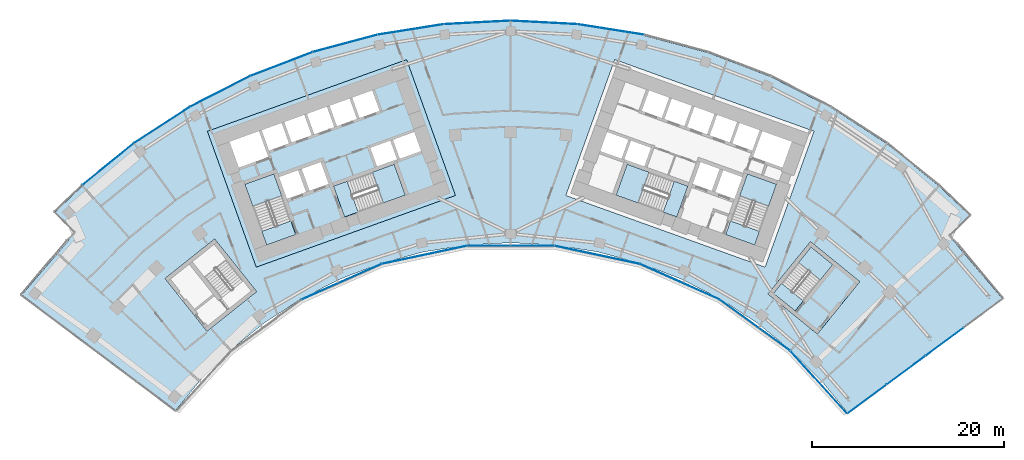
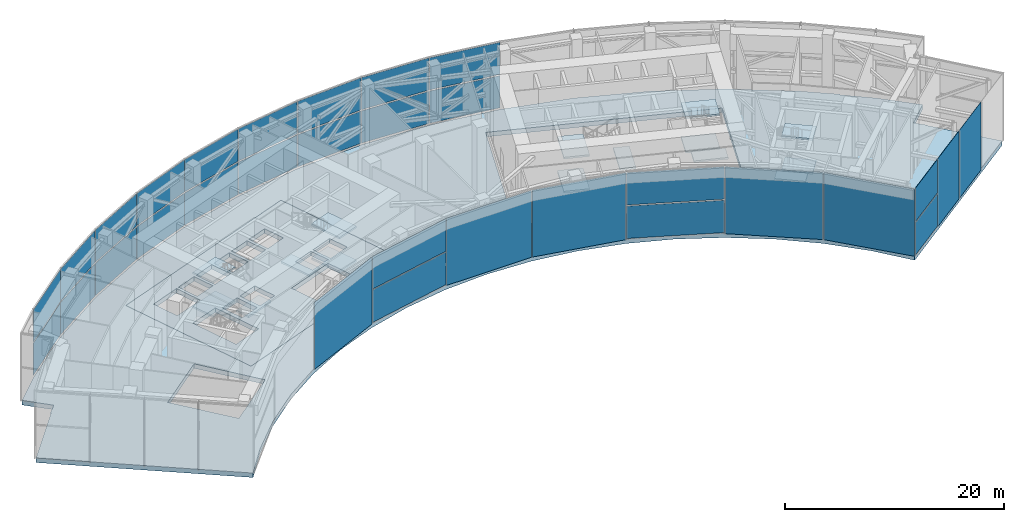
# One storey, part 17 of 32: 31 plates, 18 slabs, 8 elements without a shape of their own.
"""IFC4 building model written with IfcOpenShell, lengths in metres."""

import ifcopenshell
import ifcopenshell.guid

model = None  # the IFC model being written
_history = None  # IfcOwnerHistory: only IFC2X3 demands one
_inside = {}  # id of a spatial element -> (the spatial element, [elements in it])
_under = {}  # id of a project, library or spatial element -> (it, [spatial elements below it])
_declared = {}  # id of a project -> (the project, [libraries it declares])
_typed = {}  # id of a type object -> (the type object, [elements of that type])
_made_of = {}  # id of a material, layer set ... -> (it, [elements and type objects made of it])


def new_model(schema):
    """Start an empty IFC model of exactly this schema.

    Asked for "IFC4X3", IfcOpenShell would pick the latest addendum, in which some entities
    have other attributes; the version numbers below select the first issue.
    IFC2X3 requires an IfcOwnerHistory on every rooted entity: one is made here for all.
    """
    global model, _history
    if schema == "IFC4X3":
        model = ifcopenshell.file(schema_version=(4, 3, 0, 0))
    else:
        model = ifcopenshell.file(schema=schema)
    _inside.clear()
    _under.clear()
    _declared.clear()
    _typed.clear()
    _made_of.clear()
    _history = None
    if model.schema == "IFC2X3":
        org = make("IfcOrganization", Name="unknown")
        user = make(
            "IfcPersonAndOrganization",
            ThePerson=make("IfcPerson", FamilyName="unknown"),
            TheOrganization=org,
        )
        app = make(
            "IfcApplication",
            ApplicationDeveloper=org,
            Version="unknown",
            ApplicationFullName="unknown",
            ApplicationIdentifier="unknown",
        )
        _history = make(
            "IfcOwnerHistory",
            OwningUser=user,
            OwningApplication=app,
            ChangeAction="ADDED",
            CreationDate=0,
        )
    return model


def make(cls, **values):
    """One entity of the class cls with the attributes given. An attribute that is None is left unset."""
    return model.create_entity(
        cls, **{name: value for name, value in values.items() if value is not None}
    )


def rooted(cls, **values):
    """An entity with a GlobalId (a new one), such as an element, a storey or a relation."""
    return make(cls, GlobalId=ifcopenshell.guid.new(), OwnerHistory=_history, **values)


def si_unit(unit_type, name, prefix=None):
    """IfcSIUnit, for example si_unit("LENGTHUNIT", "METRE", prefix="MILLI")."""
    return make("IfcSIUnit", UnitType=unit_type, Prefix=prefix, Name=name)


def assignment(units):
    """IfcUnitAssignment: the units of a project."""
    return None if units is None else make("IfcUnitAssignment", Units=units)


def point(xyz):
    """IfcCartesianPoint."""
    return None if xyz is None else make("IfcCartesianPoint", Coordinates=xyz)


def direction(xyz):
    """IfcDirection."""
    return None if xyz is None else make("IfcDirection", DirectionRatios=xyz)


def frame(location, z_axis=None, x_axis=None):
    """IfcAxis2Placement3D, a coordinate frame: its origin and axes. An axis left out is left unset."""
    return make(
        "IfcAxis2Placement3D",
        Location=point(location),
        Axis=direction(z_axis),
        RefDirection=direction(x_axis),
    )


def frame_2d(location, x_axis=None):
    """IfcAxis2Placement2D, a coordinate frame in the plane: its origin and x axis."""
    return make(
        "IfcAxis2Placement2D", Location=point(location), RefDirection=direction(x_axis)
    )


def origin():
    """The frame at (0, 0, 0) with its axes left unset."""
    return frame((0.0, 0.0, 0.0))


def origin_2d():
    """The frame at (0, 0) in the plane with its x axis left unset."""
    return frame_2d((0.0, 0.0))


def place(relative_to, where):
    """IfcLocalPlacement: puts the frame where relative to a parent placement (None: the world)."""
    return make(
        "IfcLocalPlacement", PlacementRelTo=relative_to, RelativePlacement=where
    )


def context(
    kind, dimensions, precision=None, world=None, true_north=None, identifier=None
):
    """IfcGeometricRepresentationContext, for example the 3D "Model" context."""
    return make(
        "IfcGeometricRepresentationContext",
        ContextIdentifier=identifier,
        ContextType=kind,
        CoordinateSpaceDimension=dimensions,
        Precision=precision,
        WorldCoordinateSystem=world,
        TrueNorth=true_north,
    )


def subcontext(parent, identifier, kind, view, scale=None):
    """IfcGeometricRepresentationSubContext, for example "Body" below "Model"."""
    return make(
        "IfcGeometricRepresentationSubContext",
        ContextIdentifier=identifier,
        ContextType=kind,
        ParentContext=parent,
        TargetScale=scale,
        TargetView=view,
    )


def project(units=None, contexts=None):
    """IfcProject with its units and contexts."""
    return rooted(
        "IfcProject",
        Name="project",
        RepresentationContexts=contexts,
        UnitsInContext=assignment(units),
    )


def spatial(cls, under=None, at=None, **own):
    """A site, building, storey or space (cls), placed at a placement, below another one or the project."""
    s = rooted(cls, ObjectPlacement=at, **own)
    if under is not None:
        _under.setdefault(under.id(), (under, []))[1].append(s)
    return s


def polyline(points):
    """IfcPolyline through the points."""
    return make("IfcPolyline", Points=[point(p) for p in points])


def profile(cls, at=None, kind="AREA", **sizes):
    """A parametric profile (cls). Its sizes go by their IFC names, for example OverallWidth=200.0."""
    return make(cls, ProfileType=kind, Position=at, **sizes)


def rectangle(**sizes):
    """IfcRectangleProfileDef."""
    return profile("IfcRectangleProfileDef", **sizes)


def outline(outer, holes=None, kind="AREA"):
    """IfcArbitraryClosedProfileDef: a profile drawn as a closed curve; with holes, ...WithVoids."""
    if holes is None:
        return make("IfcArbitraryClosedProfileDef", ProfileType=kind, OuterCurve=outer)
    return make(
        "IfcArbitraryProfileDefWithVoids",
        ProfileType=kind,
        OuterCurve=outer,
        InnerCurves=holes,
    )


def extrude(swept, where, along, depth):
    """IfcExtrudedAreaSolid: the profile swept, set in the frame where, extruded along a direction by depth."""
    return make(
        "IfcExtrudedAreaSolid",
        SweptArea=swept,
        Position=where,
        ExtrudedDirection=direction(along),
        Depth=depth,
    )


def shape(context_of_items, identifier, shape_type, items):
    """IfcShapeRepresentation: the items that make up one representation, for example the "Body"."""
    return make(
        "IfcShapeRepresentation",
        ContextOfItems=context_of_items,
        RepresentationIdentifier=identifier,
        RepresentationType=shape_type,
        Items=items,
    )


def material(Name=None, Category=None):
    """IfcMaterial."""
    return make("IfcMaterial", Name=Name, Category=Category)


def layer(
    of_material, thickness, ventilated=None, Name=None, Category=None, Priority=None
):
    """IfcMaterialLayer: one layer of a wall or slab, of a material (None: an air gap)."""
    return make(
        "IfcMaterialLayer",
        Material=of_material,
        LayerThickness=thickness,
        IsVentilated=ventilated,
        Name=Name,
        Category=Category,
        Priority=Priority,
    )


def layer_set(layers, Name=None):
    """IfcMaterialLayerSet."""
    return make("IfcMaterialLayerSet", MaterialLayers=layers, LayerSetName=Name)


def made_of(thing, what):
    """Note that an element or type object is made of a material, layer set ...; save() writes the relation."""
    if what is not None:
        _made_of.setdefault(what.id(), (what, []))[1].append(thing)
    return thing


def type_object(cls, material=None, **own):
    """A type object (cls), such as IfcWallType, which elements share."""
    return made_of(rooted(cls, **own), material)


def element(
    cls,
    number,
    at=None,
    inside=None,
    cuts=None,
    type_object=None,
    material=None,
    context=None,
    identifier="Body",
    shape_type=None,
    held_by="IfcProductDefinitionShape",
    body=None,
    shapes=None,
    **own,
):
    """One element of the class cls, such as IfcWall. Its Tag is "e" and its number.

    at: its placement. inside: the storey or other place that contains it. cuts: it is an
    opening in that element (IfcRelVoidsElement). A single representation is given by context,
    identifier, shape_type and body (its items); several are given by shapes. held_by: the class
    of the entity that holds the representations. save() writes the other relations.
    """
    e = rooted(cls, Tag="e%d" % number, ObjectPlacement=at, **own)
    if body is not None:
        shapes = [shape(context, identifier, shape_type, body)]
    if shapes is not None:
        e.Representation = make(held_by, Representations=shapes)
    if inside is not None:
        _inside.setdefault(inside.id(), (inside, []))[1].append(e)
    if cuts is not None:
        rooted(
            "IfcRelVoidsElement", RelatingBuildingElement=cuts, RelatedOpeningElement=e
        )
    if type_object is not None:
        _typed.setdefault(type_object.id(), (type_object, []))[1].append(e)
    return made_of(e, material)


def aggregate(whole, parts):
    """IfcRelAggregates: a whole, such as a stair, and the parts it consists of."""
    return rooted("IfcRelAggregates", RelatingObject=whole, RelatedObjects=parts)


def save(model, path):
    """Write the relations noted so far, then the file.

    IfcRelAggregates (storeys below a building ...), IfcRelContainedInSpatialStructure (elements
    in a storey), IfcRelDefinesByType, IfcRelAssociatesMaterial and IfcRelDeclares: one each for
    every whole, place, type object, material and project.
    """
    for whole, parts in _under.values():
        aggregate(whole, parts)
    for where, things in _inside.values():
        rooted(
            "IfcRelContainedInSpatialStructure",
            RelatedElements=things,
            RelatingStructure=where,
        )
    for kind, things in _typed.values():
        rooted("IfcRelDefinesByType", RelatedObjects=things, RelatingType=kind)
    for what, things in _made_of.values():
        rooted("IfcRelAssociatesMaterial", RelatedObjects=things, RelatingMaterial=what)
    for by, libraries in _declared.values():
        rooted("IfcRelDeclares", RelatingContext=by, RelatedDefinitions=libraries)
    model.write(path)


model = new_model("IFC4")

# Units and contexts
model_context = context("Model", 3, precision=1e-05, world=origin(), true_north=direction((0.0, 1.0)))
body_context = subcontext(model_context, "Body", "Model", "MODEL_VIEW")
ifc_project = project(units=[si_unit("LENGTHUNIT", "METRE"), si_unit("AREAUNIT", "SQUARE_METRE"), si_unit("VOLUMEUNIT", "CUBIC_METRE"), si_unit("PLANEANGLEUNIT", "RADIAN"), si_unit("MASSUNIT", "GRAM", prefix="KILO")], contexts=[model_context])

# Site, building, storey
site_placement = place(None, origin())
site = spatial("IfcSite", under=ifc_project, at=site_placement, CompositionType="ELEMENT")
building_placement = place(site_placement, origin())
building = spatial("IfcBuilding", under=site, at=building_placement, Name="Stone Belt Terrace Tower", CompositionType="ELEMENT")
storey_placement = place(building_placement, frame((0.0, 0.0, 193.39990234375)))
storey = spatial("IfcBuildingStorey", under=building, at=storey_placement, Name="L47", CompositionType="ELEMENT", Elevation=193.39990234375)

# Curtain wall, plates
ifc_material_1 = material(Name="Aluminium 6063-T6 anodised frame", Category="aluminium")
ifc_layer_1 = layer(ifc_material_1, 0.14990234375)
ifc_layer_set_1 = layer_set([ifc_layer_1], Name="CW-A unitised convex-face curtain wall")
curtain_wall_type_1 = type_object("IfcCurtainWallType", Name="CW-A unitised convex-face curtain wall", PredefinedType="NOTDEFINED", material=ifc_layer_set_1)
curtain_wall_1_placement = place(storey_placement, origin())
curtain_wall_1 = element("IfcCurtainWall", 1, at=curtain_wall_1_placement, inside=storey, type_object=curtain_wall_type_1, Name="CW-A convex face L47", PredefinedType="NOTDEFINED")
ifc_material_2 = material(Name="Terracotta coloured glazed ceramic", Category="masonry")
ifc_layer_2 = layer(ifc_material_2, 0.031982421875)
ifc_layer_set_2 = layer_set([ifc_layer_2], Name="CW-A ceramic louvre panel 32")
plate_type_1 = type_object("IfcPlateType", Name="CW-A ceramic louvre panel 32", PredefinedType="CURTAIN_PANEL", material=ifc_layer_set_2)
plate_1_placement = place(storey_placement, frame((10.400390625, 65.665283203125, 0.14013671875), z_axis=(0.0, 0.0, 1.0), x_axis=(-0.987688340595, 0.15643446504, 0.0)))
plate_1 = element("IfcPlate", 2, at=plate_1_placement, type_object=plate_type_1, Name="CW-A louvre panel 7.1", PredefinedType="CURTAIN_PANEL", context=body_context, shape_type="SweptSolid", body=[
    extrude(rectangle(XDim=6.90087890625, YDim=0.031982421875, at=origin_2d()), origin(), (0.0, 0.0, 1.0), 3.590087890625),
])
plate_2_placement = place(storey_placement, frame((10.400390625, 65.665283203125, 3.8701171875), z_axis=(0.0, 0.0, 1.0), x_axis=(-0.987688340595, 0.15643446504, 0.0)))
plate_2 = element("IfcPlate", 3, at=plate_2_placement, type_object=plate_type_1, Name="CW-A louvre panel 7.2", PredefinedType="CURTAIN_PANEL", context=body_context, shape_type="SweptSolid", body=[
    extrude(rectangle(XDim=6.90087890625, YDim=0.031982421875, at=origin_2d()), origin(), (0.0, 0.0, 1.0), 3.590087890625),
])
plate_3_placement = place(storey_placement, frame((3.4794921875, 66.392822265625, 0.14013671875), z_axis=(0.0, 0.0, 1.0), x_axis=(-0.998629534755, 0.052335956243, 0.0)))
plate_3 = element("IfcPlate", 4, at=plate_3_placement, type_object=plate_type_1, Name="CW-A louvre panel 8.1", PredefinedType="CURTAIN_PANEL", context=body_context, shape_type="SweptSolid", body=[
    extrude(rectangle(XDim=6.90087890625, YDim=0.031982421875, at=origin_2d()), origin(), (0.0, 0.0, 1.0), 3.590087890625),
])
plate_4_placement = place(storey_placement, frame((3.4794921875, 66.392822265625, 3.8701171875), z_axis=(0.0, 0.0, 1.0), x_axis=(-0.998629534755, 0.052335956243, 0.0)))
plate_4 = element("IfcPlate", 5, at=plate_4_placement, type_object=plate_type_1, Name="CW-A louvre panel 8.2", PredefinedType="CURTAIN_PANEL", context=body_context, shape_type="SweptSolid", body=[
    extrude(rectangle(XDim=6.90087890625, YDim=0.031982421875, at=origin_2d()), origin(), (0.0, 0.0, 1.0), 3.590087890625),
])
plate_5_placement = place(storey_placement, frame((-3.4794921875, 66.392822265625, 0.14013671875), z_axis=(0.0, 0.0, 1.0), x_axis=(-0.998629534755, -0.052335956243, 0.0)))
plate_5 = element("IfcPlate", 6, at=plate_5_placement, type_object=plate_type_1, Name="CW-A louvre panel 9.1", PredefinedType="CURTAIN_PANEL", context=body_context, shape_type="SweptSolid", body=[
    extrude(rectangle(XDim=6.90087890625, YDim=0.031982421875, at=origin_2d()), origin(), (0.0, 0.0, 1.0), 3.590087890625),
])
plate_6_placement = place(storey_placement, frame((-3.4794921875, 66.392822265625, 3.8701171875), z_axis=(0.0, 0.0, 1.0), x_axis=(-0.998629534755, -0.052335956243, 0.0)))
plate_6 = element("IfcPlate", 7, at=plate_6_placement, type_object=plate_type_1, Name="CW-A louvre panel 9.2", PredefinedType="CURTAIN_PANEL", context=body_context, shape_type="SweptSolid", body=[
    extrude(rectangle(XDim=6.90087890625, YDim=0.031982421875, at=origin_2d()), origin(), (0.0, 0.0, 1.0), 3.590087890625),
])
plate_7_placement = place(storey_placement, frame((-10.400390625, 65.665283203125, 0.14013671875), z_axis=(0.0, 0.0, 1.0), x_axis=(-0.987688340595, -0.15643446504, 0.0)))
plate_7 = element("IfcPlate", 8, at=plate_7_placement, type_object=plate_type_1, Name="CW-A louvre panel 10.1", PredefinedType="CURTAIN_PANEL", context=body_context, shape_type="SweptSolid", body=[
    extrude(rectangle(XDim=6.90087890625, YDim=0.031982421875, at=origin_2d()), origin(), (0.0, 0.0, 1.0), 3.590087890625),
])
plate_8_placement = place(storey_placement, frame((-10.400390625, 65.665283203125, 3.8701171875), z_axis=(0.0, 0.0, 1.0), x_axis=(-0.987688340595, -0.15643446504, 0.0)))
plate_8 = element("IfcPlate", 9, at=plate_8_placement, type_object=plate_type_1, Name="CW-A louvre panel 10.2", PredefinedType="CURTAIN_PANEL", context=body_context, shape_type="SweptSolid", body=[
    extrude(rectangle(XDim=6.90087890625, YDim=0.031982421875, at=origin_2d()), origin(), (0.0, 0.0, 1.0), 3.590087890625),
])
plate_9_placement = place(storey_placement, frame((-17.207275390625, 64.218505859375, 0.14013671875), z_axis=(0.0, 0.0, 1.0), x_axis=(-0.965925826289, -0.258819045103, 0.0)))
plate_9 = element("IfcPlate", 10, at=plate_9_placement, type_object=plate_type_1, Name="CW-A louvre panel 11.1", PredefinedType="CURTAIN_PANEL", context=body_context, shape_type="SweptSolid", body=[
    extrude(rectangle(XDim=6.90087890625, YDim=0.031982421875, at=origin_2d()), origin(), (0.0, 0.0, 1.0), 3.590087890625),
])
plate_10_placement = place(storey_placement, frame((-17.207275390625, 64.218505859375, 3.8701171875), z_axis=(0.0, 0.0, 1.0), x_axis=(-0.965925826289, -0.258819045103, 0.0)))
plate_10 = element("IfcPlate", 11, at=plate_10_placement, type_object=plate_type_1, Name="CW-A louvre panel 11.2", PredefinedType="CURTAIN_PANEL", context=body_context, shape_type="SweptSolid", body=[
    extrude(rectangle(XDim=6.90087890625, YDim=0.031982421875, at=origin_2d()), origin(), (0.0, 0.0, 1.0), 3.590087890625),
])
plate_11_placement = place(storey_placement, frame((-23.82568359375, 62.068115234375, 0.14013671875), z_axis=(0.0, 0.0, 1.0), x_axis=(-0.933580426497, -0.358367949545, 0.0)))
plate_11 = element("IfcPlate", 12, at=plate_11_placement, type_object=plate_type_1, Name="CW-A louvre panel 12.1", PredefinedType="CURTAIN_PANEL", context=body_context, shape_type="SweptSolid", body=[
    extrude(rectangle(XDim=6.90087890625, YDim=0.031982421875, at=origin_2d()), origin(), (0.0, 0.0, 1.0), 3.590087890625),
])
plate_12_placement = place(storey_placement, frame((-23.82568359375, 62.068115234375, 3.8701171875), z_axis=(0.0, 0.0, 1.0), x_axis=(-0.933580426497, -0.358367949545, 0.0)))
plate_12 = element("IfcPlate", 13, at=plate_12_placement, type_object=plate_type_1, Name="CW-A louvre panel 12.2", PredefinedType="CURTAIN_PANEL", context=body_context, shape_type="SweptSolid", body=[
    extrude(rectangle(XDim=6.90087890625, YDim=0.031982421875, at=origin_2d()), origin(), (0.0, 0.0, 1.0), 3.590087890625),
])
plate_13_placement = place(storey_placement, frame((-30.18310546875, 59.237548828125, 0.14013671875), z_axis=(0.0, 0.0, 1.0), x_axis=(-0.891006524188, -0.45399049974, 0.0)))
plate_13 = element("IfcPlate", 14, at=plate_13_placement, type_object=plate_type_1, Name="CW-A louvre panel 13.1", PredefinedType="CURTAIN_PANEL", context=body_context, shape_type="SweptSolid", body=[
    extrude(rectangle(XDim=6.90087890625, YDim=0.031982421875, at=origin_2d()), origin(), (0.0, 0.0, 1.0), 3.590087890625),
])
plate_14_placement = place(storey_placement, frame((-30.18310546875, 59.237548828125, 3.8701171875), z_axis=(0.0, 0.0, 1.0), x_axis=(-0.891006524188, -0.45399049974, 0.0)))
plate_14 = element("IfcPlate", 15, at=plate_14_placement, type_object=plate_type_1, Name="CW-A louvre panel 13.2", PredefinedType="CURTAIN_PANEL", context=body_context, shape_type="SweptSolid", body=[
    extrude(rectangle(XDim=6.90087890625, YDim=0.031982421875, at=origin_2d()), origin(), (0.0, 0.0, 1.0), 3.590087890625),
])
plate_15_placement = place(storey_placement, frame((-36.209716796875, 55.758056640625, 0.14013671875), z_axis=(0.0, 0.0, 1.0), x_axis=(-0.838670567945, -0.544639035015, 0.0)))
plate_15 = element("IfcPlate", 16, at=plate_15_placement, type_object=plate_type_1, Name="CW-A louvre panel 14.1", PredefinedType="CURTAIN_PANEL", context=body_context, shape_type="SweptSolid", body=[
    extrude(rectangle(XDim=6.90087890625, YDim=0.031982421875, at=origin_2d()), origin(), (0.0, 0.0, 1.0), 3.590087890625),
])
plate_16_placement = place(storey_placement, frame((-36.209716796875, 55.758056640625, 3.8701171875), z_axis=(0.0, 0.0, 1.0), x_axis=(-0.838670567945, -0.544639035015, 0.0)))
plate_16 = element("IfcPlate", 17, at=plate_16_placement, type_object=plate_type_1, Name="CW-A louvre panel 14.2", PredefinedType="CURTAIN_PANEL", context=body_context, shape_type="SweptSolid", body=[
    extrude(rectangle(XDim=6.90087890625, YDim=0.031982421875, at=origin_2d()), origin(), (0.0, 0.0, 1.0), 3.590087890625),
])
plate_17_placement = place(storey_placement, frame((-41.839599609375, 51.667724609375, 0.14013671875), z_axis=(0.0, 0.0, 1.0), x_axis=(-0.777145961457, -0.62932039105, 0.0)))
plate_17 = element("IfcPlate", 18, at=plate_17_placement, type_object=plate_type_1, Name="CW-A louvre panel 15.1", PredefinedType="CURTAIN_PANEL", context=body_context, shape_type="SweptSolid", body=[
    extrude(rectangle(XDim=6.900634765625, YDim=0.031982421875, at=origin_2d()), origin(), (0.0, 0.0, 1.0), 3.590087890625),
])
plate_18_placement = place(storey_placement, frame((-41.839599609375, 51.667724609375, 3.8701171875), z_axis=(0.0, 0.0, 1.0), x_axis=(-0.777145961457, -0.62932039105, 0.0)))
plate_18 = element("IfcPlate", 19, at=plate_18_placement, type_object=plate_type_1, Name="CW-A louvre panel 15.2", PredefinedType="CURTAIN_PANEL", context=body_context, shape_type="SweptSolid", body=[
    extrude(rectangle(XDim=6.900634765625, YDim=0.031982421875, at=origin_2d()), origin(), (0.0, 0.0, 1.0), 3.590087890625),
])
aggregate(curtain_wall_1, [plate_1, plate_2, plate_3, plate_4, plate_5, plate_6, plate_7, plate_8, plate_9, plate_10, plate_11, plate_12, plate_13, plate_14, plate_15, plate_16, plate_17, plate_18])

ifc_layer_3 = layer(ifc_material_1, 0.14990234375)
ifc_layer_set_3 = layer_set([ifc_layer_3], Name="CW-B unitised concave-face curtain wall")
curtain_wall_type_2 = type_object("IfcCurtainWallType", Name="CW-B unitised concave-face curtain wall", PredefinedType="NOTDEFINED", material=ifc_layer_set_3)
curtain_wall_2_placement = place(storey_placement, origin())
curtain_wall_2 = element("IfcCurtainWall", 20, at=curtain_wall_2_placement, inside=storey, type_object=curtain_wall_type_2, Name="CW-B concave face L47", PredefinedType="NOTDEFINED")
ifc_layer_4 = layer(ifc_material_2, 0.030029296875)
ifc_layer_set_4 = layer_set([ifc_layer_4], Name="CW-B ceramic louvre panel 30")
plate_type_2 = type_object("IfcPlateType", Name="CW-B ceramic louvre panel 30", PredefinedType="CURTAIN_PANEL", material=ifc_layer_set_4)
plate_19_placement = place(storey_placement, frame((-17.565673828125, 39.453125, 0.0), z_axis=(0.0, 0.0, 1.0), x_axis=(0.913545457643, 0.406736643076, 0.0)))
plate_19 = element("IfcPlate", 21, at=plate_19_placement, type_object=plate_type_2, Name="CW-B louvre panel 3.1", PredefinedType="CURTAIN_PANEL", context=body_context, shape_type="SweptSolid", body=[
    extrude(rectangle(XDim=9.0126953125, YDim=0.030029296875, at=origin_2d()), origin(), (0.0, 0.0, 1.0), 7.47998046875),
])
plate_20_placement = place(storey_placement, frame((-8.97900390625, 42.242919921875, 0.1201171875), z_axis=(0.0, 0.0, 1.0), x_axis=(0.978147600734, 0.207911690818, 0.0)))
plate_20 = element("IfcPlate", 22, at=plate_20_placement, type_object=plate_type_2, Name="CW-B louvre panel 4.1", PredefinedType="CURTAIN_PANEL", context=body_context, shape_type="SweptSolid", body=[
    extrude(rectangle(XDim=9.0126953125, YDim=0.030029296875, at=origin_2d()), origin(), (0.0, 0.0, 1.0), 3.6201171875),
])
plate_21_placement = place(storey_placement, frame((-8.97900390625, 42.242919921875, 3.860107421875), z_axis=(0.0, 0.0, 1.0), x_axis=(0.978147600734, 0.207911690818, 0.0)))
plate_21 = element("IfcPlate", 23, at=plate_21_placement, type_object=plate_type_2, Name="CW-B louvre panel 4.2", PredefinedType="CURTAIN_PANEL", context=body_context, shape_type="SweptSolid", body=[
    extrude(rectangle(XDim=9.0126953125, YDim=0.030029296875, at=origin_2d()), origin(), (0.0, 0.0, 1.0), 3.6201171875),
])
plate_22_placement = place(storey_placement, frame((0.0, 43.186767578125, 0.0), z_axis=(0.0, 0.0, 1.0), x_axis=(1.0, 0.0, 0.0)))
plate_22 = element("IfcPlate", 24, at=plate_22_placement, type_object=plate_type_2, Name="CW-B louvre panel 5.1", PredefinedType="CURTAIN_PANEL", context=body_context, shape_type="SweptSolid", body=[
    extrude(rectangle(XDim=9.0126953125, YDim=0.030029296875, at=origin_2d()), origin(), (0.0, 0.0, 1.0), 7.47998046875),
])
plate_23_placement = place(storey_placement, frame((8.97900390625, 42.242919921875, 0.0), z_axis=(0.0, 0.0, 1.0), x_axis=(0.978147600734, -0.207911690818, 0.0)))
plate_23 = element("IfcPlate", 25, at=plate_23_placement, type_object=plate_type_2, Name="CW-B louvre panel 6.1", PredefinedType="CURTAIN_PANEL", context=body_context, shape_type="SweptSolid", body=[
    extrude(rectangle(XDim=9.0126953125, YDim=0.030029296875, at=origin_2d()), origin(), (0.0, 0.0, 1.0), 7.47998046875),
])
plate_24_placement = place(storey_placement, frame((17.565673828125, 39.453125, 0.1201171875), z_axis=(0.0, 0.0, 1.0), x_axis=(0.913545457643, -0.406736643076, 0.0)))
plate_24 = element("IfcPlate", 26, at=plate_24_placement, type_object=plate_type_2, Name="CW-B louvre panel 7.1", PredefinedType="CURTAIN_PANEL", context=body_context, shape_type="SweptSolid", body=[
    extrude(rectangle(XDim=9.0126953125, YDim=0.030029296875, at=origin_2d()), origin(), (0.0, 0.0, 1.0), 3.6201171875),
])
plate_25_placement = place(storey_placement, frame((17.565673828125, 39.453125, 3.860107421875), z_axis=(0.0, 0.0, 1.0), x_axis=(0.913545457643, -0.406736643076, 0.0)))
plate_25 = element("IfcPlate", 27, at=plate_25_placement, type_object=plate_type_2, Name="CW-B louvre panel 7.2", PredefinedType="CURTAIN_PANEL", context=body_context, shape_type="SweptSolid", body=[
    extrude(rectangle(XDim=9.0126953125, YDim=0.030029296875, at=origin_2d()), origin(), (0.0, 0.0, 1.0), 3.6201171875),
])
plate_26_placement = place(storey_placement, frame((25.384521484375, 34.938720703125, 0.0), z_axis=(0.0, 0.0, 1.0), x_axis=(0.809016994375, -0.587785252292, 0.0)))
plate_26 = element("IfcPlate", 28, at=plate_26_placement, type_object=plate_type_2, Name="CW-B louvre panel 8.1", PredefinedType="CURTAIN_PANEL", context=body_context, shape_type="SweptSolid", body=[
    extrude(rectangle(XDim=9.01318359375, YDim=0.030029296875, at=origin_2d()), origin(), (0.0, 0.0, 1.0), 7.47998046875),
])
plate_27_placement = place(storey_placement, frame((32.00537109375, 29.02197265625, 0.0), z_axis=(0.0, 0.0, 1.0), x_axis=(0.672072775041, -0.740485101166, 0.0)))
plate_27 = element("IfcPlate", 29, at=plate_27_placement, type_object=plate_type_2, Name="CW-B louvre panel 9.1", PredefinedType="CURTAIN_PANEL", context=body_context, shape_type="SweptSolid", body=[
    extrude(rectangle(XDim=8.70947265625, YDim=0.030029296875, at=origin_2d()), origin(), (0.0, 0.0, 1.0), 7.47998046875),
])
aggregate(curtain_wall_2, [plate_19, plate_20, plate_21, plate_22, plate_23, plate_24, plate_25, plate_26, plate_27])

ifc_layer_5 = layer(ifc_material_1, 0.14990234375)
ifc_layer_set_5 = layer_set([ifc_layer_5], Name="CW-C stick curtain wall, horn ends and notches")
curtain_wall_type_3 = type_object("IfcCurtainWallType", Name="CW-C stick curtain wall, horn ends and notches", PredefinedType="NOTDEFINED", material=ifc_layer_set_5)
curtain_wall_3_placement = place(storey_placement, origin())
curtain_wall_3 = element("IfcCurtainWall", 30, at=curtain_wall_3_placement, inside=storey, type_object=curtain_wall_type_3, Name="CW-C end face L47", PredefinedType="NOTDEFINED")
ifc_layer_6 = layer(ifc_material_2, 0.028076171875)
ifc_layer_set_6 = layer_set([ifc_layer_6], Name="CW-C ceramic louvre panel 28")
plate_type_3 = type_object("IfcPlateType", Name="CW-C ceramic louvre panel 28", PredefinedType="CURTAIN_PANEL", material=ifc_layer_set_6)
plate_28_placement = place(storey_placement, frame((37.033447265625, 27.2646484375, 0.1201171875), z_axis=(0.0, 0.0, 1.0), x_axis=(0.804329077539, 0.594184091865, 0.0)))
plate_28 = element("IfcPlate", 31, at=plate_28_placement, type_object=plate_type_3, Name="CW-C louvre panel 1.1", PredefinedType="CURTAIN_PANEL", context=body_context, shape_type="SweptSolid", body=[
    extrude(rectangle(XDim=4.96533203125, YDim=0.028076171875, at=origin_2d()), origin(), (0.0, 0.0, 1.0), 3.6201171875),
])
plate_29_placement = place(storey_placement, frame((37.033447265625, 27.2646484375, 3.85986328125), z_axis=(0.0, 0.0, 1.0), x_axis=(0.804329077539, 0.594184091865, 0.0)))
plate_29 = element("IfcPlate", 32, at=plate_29_placement, type_object=plate_type_3, Name="CW-C louvre panel 1.2", PredefinedType="CURTAIN_PANEL", context=body_context, shape_type="SweptSolid", body=[
    extrude(rectangle(XDim=4.96533203125, YDim=0.028076171875, at=origin_2d()), origin(), (0.0, 0.0, 1.0), 3.739990234375),
])
plate_30_placement = place(storey_placement, frame((41.0654296875, 30.2431640625, 0.0), z_axis=(0.0, 0.0, 1.0), x_axis=(0.804329077539, 0.594184091865, 0.0)))
plate_30 = element("IfcPlate", 33, at=plate_30_placement, type_object=plate_type_3, Name="CW-C louvre panel 2.1", PredefinedType="CURTAIN_PANEL", context=body_context, shape_type="SweptSolid", body=[
    extrude(rectangle(XDim=4.93994140625, YDim=0.028076171875, at=origin_2d()), origin(), (0.0, 0.0, 1.0), 7.60009765625),
])
plate_31_placement = place(storey_placement, frame((45.0869140625, 33.2138671875, 0.0), z_axis=(0.0, 0.0, 1.0), x_axis=(0.804329077539, 0.594184091865, 0.0)))
plate_31 = element("IfcPlate", 34, at=plate_31_placement, type_object=plate_type_3, Name="CW-C louvre panel 3.1", PredefinedType="CURTAIN_PANEL", context=body_context, shape_type="SweptSolid", body=[
    extrude(rectangle(XDim=4.93994140625, YDim=0.028076171875, at=origin_2d()), origin(), (0.0, 0.0, 1.0), 7.60009765625),
])
aggregate(curtain_wall_3, [plate_28, plate_29, plate_30, plate_31])

# Slabs
ifc_material_3 = material(Name="Concrete B40", Category="concrete")
ifc_layer_7 = layer(ifc_material_3, 0.5)
ifc_layer_set_7 = layer_set([ifc_layer_7], Name="Core floor slab 500")
slab_type_1 = type_object("IfcSlabType", Name="Core floor slab 500", PredefinedType="FLOOR", material=ifc_layer_set_7)
slab_1_placement = place(storey_placement, frame((0.0, 0.0, -0.5)))
element("IfcSlab", 35, at=slab_1_placement, inside=storey, type_object=slab_type_1, Name="Core A floor L47", PredefinedType="FLOOR", context=body_context, shape_type="SweptSolid", body=[
    extrude(outline(polyline([(-26.43505859375, 40.968994140625), (-5.735107421875, 48.4189453125), (-10.81396484375, 62.531982421875), (-31.513916015625, 55.0830078125), (-26.43505859375, 40.968994140625)]), holes=[polyline([(-24.60791015625, 50.659912109375), (-22.847900390625, 45.76806640625), (-25.85888671875, 44.68408203125), (-27.618896484375, 49.575927734375), (-24.60791015625, 50.659912109375)]), polyline([(-21.27392578125, 48.778076171875), (-23.25, 48.06689453125), (-24.06298828125, 50.324951171875), (-22.0869140625, 51.035888671875), (-21.27392578125, 48.778076171875)]), polyline([(-18.922119140625, 49.6240234375), (-20.89794921875, 48.9130859375), (-21.7109375, 51.1708984375), (-19.735107421875, 51.883056640625), (-18.922119140625, 49.6240234375)]), polyline([(-28.24609375, 51.31689453125), (-29.2109375, 53.9990234375), (-26.153076171875, 55.09912109375), (-25.18798828125, 52.41796875), (-28.24609375, 51.31689453125)]), polyline([(-23.801025390625, 55.946044921875), (-23.0390625, 53.8291015625), (-25.10888671875, 53.083984375), (-25.87109375, 55.200927734375), (-23.801025390625, 55.946044921875)]), polyline([(-21.447998046875, 56.7919921875), (-20.68603515625, 54.675048828125), (-22.756103515625, 53.929931640625), (-23.51806640625, 56.047119140625), (-21.447998046875, 56.7919921875)]), polyline([(-10.955078125, 48.452880859375), (-15.846923828125, 46.69189453125), (-16.998046875, 49.89208984375), (-12.10595703125, 51.652099609375), (-10.955078125, 48.452880859375)]), polyline([(-11.847900390625, 52.116943359375), (-11.864990234375, 52.1640625), (-13.887939453125, 51.43603515625), (-14.58203125, 53.364990234375), (-12.511962890625, 54.110107421875), (-11.801025390625, 52.134033203125), (-11.847900390625, 52.116943359375)]), polyline([(-9.30810546875, 53.031005859375), (-11.51904296875, 52.235107421875), (-12.22998046875, 54.2109375), (-10.01904296875, 55.007080078125), (-9.30810546875, 53.031005859375)]), polyline([(-21.166015625, 56.89404296875), (-19.095947265625, 57.638916015625), (-18.333984375, 55.52197265625), (-20.404052734375, 54.777099609375), (-21.166015625, 56.89404296875)]), polyline([(-16.743896484375, 58.485107421875), (-15.98193359375, 56.367919921875), (-18.052001953125, 55.623046875), (-18.81396484375, 57.739990234375), (-16.743896484375, 58.485107421875)]), polyline([(-14.39111328125, 59.33203125), (-13.6298828125, 57.215087890625), (-15.699951171875, 56.469970703125), (-16.4609375, 58.5869140625), (-14.39111328125, 59.33203125)])]), origin(), (0.0, 0.0, 1.0), 0.5),
])
slab_2_placement = place(storey_placement, frame((0.0, 0.0, -0.5)))
element("IfcSlab", 36, at=slab_2_placement, inside=storey, type_object=slab_type_1, Name="Exit stair ST3B floor L47", PredefinedType="FLOOR", context=body_context, shape_type="SweptSolid", body=[
    extrude(outline(polyline([(26.741943359375, 38.18408203125), (31.866943359375, 34.02392578125), (36.278076171875, 39.458984375), (31.154052734375, 43.618896484375), (26.741943359375, 38.18408203125)]), holes=[polyline([(30.407958984375, 37.462890625), (28.156005859375, 39.291015625), (31.2119140625, 43.055908203125), (33.464111328125, 41.22802734375), (30.407958984375, 37.462890625)])]), origin(), (0.0, 0.0, 1.0), 0.5),
])
ifc_material_4 = material(Name="Concrete B60", Category="concrete")
ifc_layer_8 = layer(ifc_material_4, 0.5)
ifc_layer_set_8 = layer_set([ifc_layer_8], Name="Floor slab 500 B60")
slab_type_2 = type_object("IfcSlabType", Name="Floor slab 500 B60", PredefinedType="FLOOR", material=ifc_layer_set_8)
slab_3_placement = place(storey_placement, frame((0.0, 0.0, -0.5)))
element("IfcSlab", 37, at=slab_3_placement, inside=storey, type_object=slab_type_2, Name="Floor slab L47", PredefinedType="FLOOR", context=body_context, shape_type="SweptSolid", body=[
    extrude(outline(polyline([(-45.981201171875, 43.693115234375), (-46.031982421875, 43.7412109375), (-45.587646484375, 44.149658203125), (-45.19384765625, 44.606689453125), (-47.328857421875, 46.714111328125), (-44.497314453125, 49.419189453125), (-41.52880859375, 51.82275390625), (-41.585205078125, 51.893310546875), (-39.087646484375, 53.799560546875), (-33.25, 57.5908203125), (-27.048095703125, 60.750732421875), (-20.549560546875, 63.245361328125), (-13.826171875, 65.046875), (-6.951171875, 66.1357421875), (0.0, 66.5), (6.951171875, 66.1357421875), (13.826171875, 65.046875), (20.549560546875, 63.245361328125), (27.048095703125, 60.750732421875), (33.25, 57.5908203125), (39.087646484375, 53.799560546875), (41.961669921875, 51.589599609375), (41.904296875, 51.518798828125), (44.497314453125, 49.419189453125), (47.66748046875, 46.368896484375), (45.51708984375, 44.277099609375), (45.90771484375, 43.81689453125), (46.348876953125, 43.405517578125), (46.297607421875, 43.357421875), (51.074951171875, 37.730712890625), (34.98828125, 25.846923828125), (32.326904296875, 29.107177734375), (29.107177734375, 32.326904296875), (25.568603515625, 35.192138671875), (21.75, 37.672119140625), (17.693115234375, 39.7392578125), (13.442138671875, 41.37109375), (9.044189453125, 42.54931640625), (4.547119140625, 43.26171875), (0.0, 43.5), (-4.547119140625, 43.26171875), (-9.044189453125, 42.54931640625), (-13.442138671875, 41.37109375), (-17.693115234375, 39.7392578125), (-21.75, 37.672119140625), (-25.568603515625, 35.192138671875), (-29.107177734375, 32.326904296875), (-32.326904296875, 29.107177734375), (-34.79931640625, 26.100830078125), (-50.799072265625, 38.10107421875), (-45.981201171875, 43.693115234375)]), holes=[polyline([(-26.434814453125, 40.968994140625), (-5.734619140625, 48.418701171875), (-10.81396484375, 62.532470703125), (-31.51416015625, 55.082763671875), (-26.434814453125, 40.968994140625)]), polyline([(10.81396484375, 62.532470703125), (5.734619140625, 48.418701171875), (26.434814453125, 40.968994140625), (31.51416015625, 55.082763671875), (10.81396484375, 62.532470703125)]), polyline([(-35.91796875, 39.787353515625), (-31.55615234375, 34.3125), (-26.39404296875, 38.425048828125), (-30.756103515625, 43.89990234375), (-35.91796875, 39.787353515625)]), polyline([(36.2783203125, 39.459228515625), (31.15380859375, 43.61865234375), (26.742431640625, 38.18359375), (31.86669921875, 34.024169921875), (36.2783203125, 39.459228515625)])]), origin(), (0.0, 0.0, 1.0), 0.5),
])

# Stair, slabs
stair_type = type_object("IfcStairType", Name="Exit stair 1500", PredefinedType="HALF_TURN_STAIR", material=ifc_material_3)
stair_1_placement = place(storey_placement, origin())
stair_1 = element("IfcStair", 38, at=stair_1_placement, inside=storey, type_object=stair_type, Name="L47 Exit stair 1 core A", PredefinedType="HALF_TURN_STAIR")
ifc_layer_9 = layer(ifc_material_3, 0.199951171875)
ifc_layer_set_9 = layer_set([ifc_layer_9], Name="Stair landing 200")
slab_type_3 = type_object("IfcSlabType", Name="Stair landing 200", PredefinedType="LANDING", material=ifc_layer_set_9)
slab_4_placement = place(storey_placement, frame((0.0, 0.0, 1.7001953125)))
slab_4 = element("IfcSlab", 39, at=slab_4_placement, type_object=slab_type_3, Name="ST1A landing 1", PredefinedType="LANDING", context=body_context, shape_type="SweptSolid", body=[
    extrude(outline(polyline([(-23.79541015625, 48.40087890625), (-24.6083984375, 50.659912109375), (-27.619384765625, 49.576171875), (-26.806396484375, 47.3173828125), (-23.79541015625, 48.40087890625)])), origin(), (0.0, 0.0, 1.0), 0.199951171875),
])
slab_5_placement = place(storey_placement, frame((0.0, 0.0, 3.60009765625)))
slab_5 = element("IfcSlab", 40, at=slab_5_placement, type_object=slab_type_3, Name="ST1A landing 2", PredefinedType="LANDING", context=body_context, shape_type="SweptSolid", body=[
    extrude(outline(polyline([(-22.339599609375, 44.355712890625), (-22.847900390625, 45.767822265625), (-25.85888671875, 44.684326171875), (-25.3505859375, 43.27197265625), (-22.339599609375, 44.355712890625)])), origin(), (0.0, 0.0, 1.0), 0.199951171875),
])
slab_6_placement = place(storey_placement, frame((0.0, 0.0, 5.5)))
slab_6 = element("IfcSlab", 41, at=slab_6_placement, type_object=slab_type_3, Name="ST1A landing 3", PredefinedType="LANDING", context=body_context, shape_type="SweptSolid", body=[
    extrude(outline(polyline([(-23.79541015625, 48.40087890625), (-24.6083984375, 50.659912109375), (-27.619384765625, 49.576171875), (-26.806396484375, 47.3173828125), (-23.79541015625, 48.40087890625)])), origin(), (0.0, 0.0, 1.0), 0.2001953125),
])
aggregate(stair_1, [slab_4, slab_5, slab_6])

stair_2_placement = place(storey_placement, origin())
stair_2 = element("IfcStair", 42, at=stair_2_placement, inside=storey, type_object=stair_type, Name="L47 Exit stair 2 core A", PredefinedType="HALF_TURN_STAIR")
slab_7_placement = place(storey_placement, frame((0.0, 0.0, 1.7001953125)))
slab_7 = element("IfcSlab", 43, at=slab_7_placement, type_object=slab_type_3, Name="ST2A landing 1", PredefinedType="LANDING", context=body_context, shape_type="SweptSolid", body=[
    extrude(outline(polyline([(-13.213623046875, 47.64013671875), (-10.95458984375, 48.453125), (-12.10595703125, 51.652099609375), (-14.36474609375, 50.839111328125), (-13.213623046875, 47.64013671875)])), origin(), (0.0, 0.0, 1.0), 0.199951171875),
])
slab_8_placement = place(storey_placement, frame((0.0, 0.0, 3.60009765625)))
slab_8 = element("IfcSlab", 44, at=slab_8_placement, type_object=slab_type_3, Name="ST2A landing 2", PredefinedType="LANDING", context=body_context, shape_type="SweptSolid", body=[
    extrude(outline(polyline([(-17.2587890625, 46.184326171875), (-15.8466796875, 46.6923828125), (-16.997802734375, 49.8916015625), (-18.41015625, 49.38330078125), (-17.2587890625, 46.184326171875)])), origin(), (0.0, 0.0, 1.0), 0.199951171875),
])
slab_9_placement = place(storey_placement, frame((0.0, 0.0, 5.5)))
slab_9 = element("IfcSlab", 45, at=slab_9_placement, type_object=slab_type_3, Name="ST2A landing 3", PredefinedType="LANDING", context=body_context, shape_type="SweptSolid", body=[
    extrude(outline(polyline([(-13.213623046875, 47.64013671875), (-10.95458984375, 48.453125), (-12.10595703125, 51.652099609375), (-14.36474609375, 50.839111328125), (-13.213623046875, 47.64013671875)])), origin(), (0.0, 0.0, 1.0), 0.2001953125),
])
aggregate(stair_2, [slab_7, slab_8, slab_9])

stair_3_placement = place(storey_placement, origin())
stair_3 = element("IfcStair", 46, at=stair_3_placement, inside=storey, type_object=stair_type, Name="L47 Exit stair 1 core B", PredefinedType="HALF_TURN_STAIR")
slab_10_placement = place(storey_placement, frame((0.0, 0.0, 1.7001953125)))
slab_10 = element("IfcSlab", 47, at=slab_10_placement, type_object=slab_type_3, Name="ST1B landing 1", PredefinedType="LANDING", context=body_context, shape_type="SweptSolid", body=[
    extrude(outline(polyline([(26.806396484375, 47.3173828125), (27.619384765625, 49.576171875), (24.6083984375, 50.659912109375), (23.79541015625, 48.40087890625), (26.806396484375, 47.3173828125)])), origin(), (0.0, 0.0, 1.0), 0.199951171875),
])
slab_11_placement = place(storey_placement, frame((0.0, 0.0, 3.60009765625)))
slab_11 = element("IfcSlab", 48, at=slab_11_placement, type_object=slab_type_3, Name="ST1B landing 2", PredefinedType="LANDING", context=body_context, shape_type="SweptSolid", body=[
    extrude(outline(polyline([(25.3505859375, 43.27197265625), (25.85888671875, 44.684326171875), (22.847900390625, 45.767822265625), (22.339599609375, 44.355712890625), (25.3505859375, 43.27197265625)])), origin(), (0.0, 0.0, 1.0), 0.199951171875),
])
slab_12_placement = place(storey_placement, frame((0.0, 0.0, 5.5)))
slab_12 = element("IfcSlab", 49, at=slab_12_placement, type_object=slab_type_3, Name="ST1B landing 3", PredefinedType="LANDING", context=body_context, shape_type="SweptSolid", body=[
    extrude(outline(polyline([(26.806396484375, 47.3173828125), (27.619384765625, 49.576171875), (24.6083984375, 50.659912109375), (23.79541015625, 48.40087890625), (26.806396484375, 47.3173828125)])), origin(), (0.0, 0.0, 1.0), 0.2001953125),
])
aggregate(stair_3, [slab_10, slab_11, slab_12])

stair_4_placement = place(storey_placement, origin())
stair_4 = element("IfcStair", 50, at=stair_4_placement, inside=storey, type_object=stair_type, Name="L47 Exit stair 2 core B", PredefinedType="HALF_TURN_STAIR")
slab_13_placement = place(storey_placement, frame((0.0, 0.0, 1.7001953125)))
slab_13 = element("IfcSlab", 51, at=slab_13_placement, type_object=slab_type_3, Name="ST2B landing 1", PredefinedType="LANDING", context=body_context, shape_type="SweptSolid", body=[
    extrude(outline(polyline([(14.36474609375, 50.839111328125), (12.10595703125, 51.652099609375), (10.95458984375, 48.453125), (13.213623046875, 47.64013671875), (14.36474609375, 50.839111328125)])), origin(), (0.0, 0.0, 1.0), 0.199951171875),
])
slab_14_placement = place(storey_placement, frame((0.0, 0.0, 3.60009765625)))
slab_14 = element("IfcSlab", 52, at=slab_14_placement, type_object=slab_type_3, Name="ST2B landing 2", PredefinedType="LANDING", context=body_context, shape_type="SweptSolid", body=[
    extrude(outline(polyline([(18.41015625, 49.38330078125), (16.997802734375, 49.8916015625), (15.8466796875, 46.6923828125), (17.2587890625, 46.184326171875), (18.41015625, 49.38330078125)])), origin(), (0.0, 0.0, 1.0), 0.199951171875),
])
slab_15_placement = place(storey_placement, frame((0.0, 0.0, 5.5)))
slab_15 = element("IfcSlab", 53, at=slab_15_placement, type_object=slab_type_3, Name="ST2B landing 3", PredefinedType="LANDING", context=body_context, shape_type="SweptSolid", body=[
    extrude(outline(polyline([(14.36474609375, 50.839111328125), (12.10595703125, 51.652099609375), (10.95458984375, 48.453125), (13.213623046875, 47.64013671875), (14.36474609375, 50.839111328125)])), origin(), (0.0, 0.0, 1.0), 0.2001953125),
])
aggregate(stair_4, [slab_13, slab_14, slab_15])

stair_5_placement = place(storey_placement, origin())
stair_5 = element("IfcStair", 54, at=stair_5_placement, inside=storey, type_object=stair_type, Name="L47 Exit stair 3B", PredefinedType="HALF_TURN_STAIR")
slab_16_placement = place(storey_placement, frame((0.0, 0.0, 1.7001953125)))
slab_16 = element("IfcSlab", 55, at=slab_16_placement, type_object=slab_type_3, Name="ST3B landing 1", PredefinedType="LANDING", context=body_context, shape_type="SweptSolid", body=[
    extrude(outline(polyline([(32.17138671875, 39.635986328125), (33.4638671875, 41.228271484375), (31.21240234375, 43.055908203125), (29.919921875, 41.463623046875), (32.17138671875, 39.635986328125)])), origin(), (0.0, 0.0, 1.0), 0.199951171875),
])
slab_17_placement = place(storey_placement, frame((0.0, 0.0, 3.60009765625)))
slab_17 = element("IfcSlab", 56, at=slab_17_placement, type_object=slab_type_3, Name="ST3B landing 2", PredefinedType="LANDING", context=body_context, shape_type="SweptSolid", body=[
    extrude(outline(polyline([(29.556640625, 36.41455078125), (30.407958984375, 37.46337890625), (28.15625, 39.290771484375), (27.304931640625, 38.2421875), (29.556640625, 36.41455078125)])), origin(), (0.0, 0.0, 1.0), 0.199951171875),
])
slab_18_placement = place(storey_placement, frame((0.0, 0.0, 5.5)))
slab_18 = element("IfcSlab", 57, at=slab_18_placement, type_object=slab_type_3, Name="ST3B landing 3", PredefinedType="LANDING", context=body_context, shape_type="SweptSolid", body=[
    extrude(outline(polyline([(32.17138671875, 39.635986328125), (33.4638671875, 41.228271484375), (31.21240234375, 43.055908203125), (29.919921875, 41.463623046875), (32.17138671875, 39.635986328125)])), origin(), (0.0, 0.0, 1.0), 0.2001953125),
])
aggregate(stair_5, [slab_16, slab_17, slab_18])

save(model, "model.ifc")
